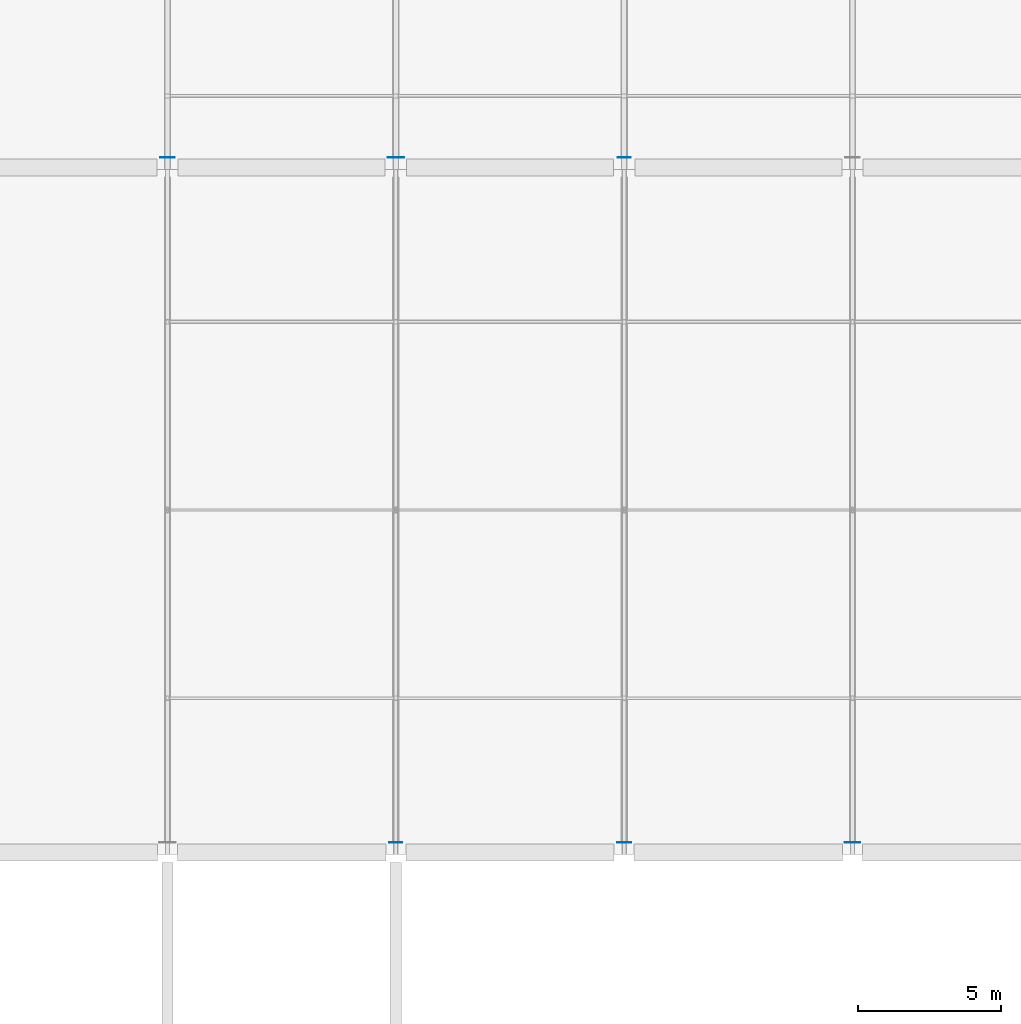
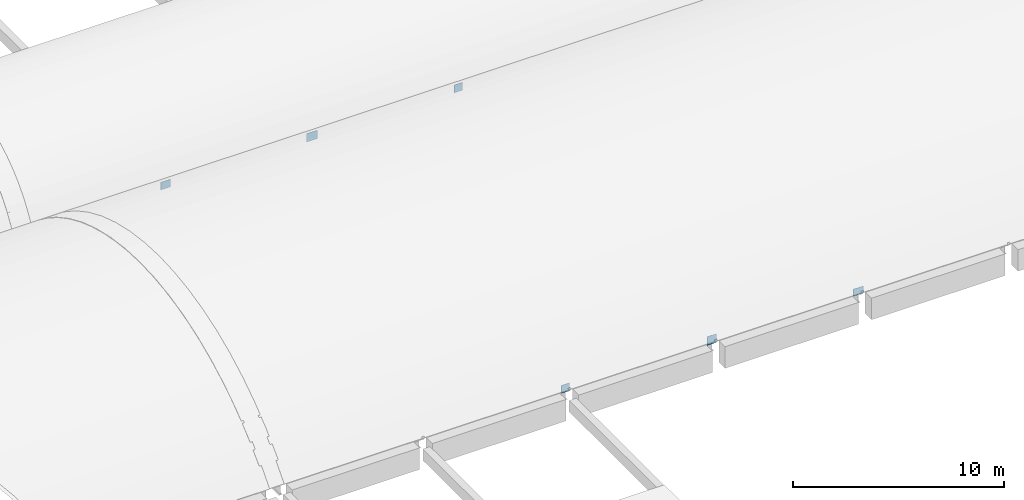
# One storey, part 48 of 57: 6 plates.
"""IFC4 building model written with IfcOpenShell, lengths in metres."""

from ifc_helpers import new_model, si_unit, direction, frame, origin, origin_2d, place, context, subcontext, project, spatial, rectangle, extrude, material, layer, layer_set, type_object, element, save


model = new_model("IFC4")

# Units and contexts
model_context = context("Model", 3, precision=1e-05, world=origin(), true_north=direction((0.0, 1.0)))
body_context = subcontext(model_context, "Body", "Model", "MODEL_VIEW")
ifc_project = project(units=[si_unit("LENGTHUNIT", "METRE"), si_unit("AREAUNIT", "SQUARE_METRE"), si_unit("VOLUMEUNIT", "CUBIC_METRE"), si_unit("PLANEANGLEUNIT", "RADIAN"), si_unit("MASSUNIT", "GRAM", prefix="KILO"), si_unit("THERMODYNAMICTEMPERATUREUNIT", "KELVIN"), si_unit("POWERUNIT", "WATT")], contexts=[model_context])

# Site, building, storey
site_placement = place(None, origin())
site = spatial("IfcSite", under=ifc_project, at=site_placement, CompositionType="ELEMENT")
building_placement = place(site_placement, origin())
building = spatial("IfcBuilding", under=site, at=building_placement, Name="Kronsvod Quay Wholesale Market", CompositionType="ELEMENT")
storey_placement = place(building_placement, frame((0.0, 0.0, 13.199951171875)))
storey = spatial("IfcBuildingStorey", under=building, at=storey_placement, Name="L03", CompositionType="ELEMENT", Elevation=13.199951171875)

# Plates
ifc_material_1 = material(Name="Steel S355", Category="steel")
ifc_layer_1 = layer(ifc_material_1, 0.02001953125)
ifc_layer_set_1 = layer_set([ifc_layer_1], Name="Steel S355")
plate_type_1 = type_object("IfcPlateType", Name="GussetPlate_GP01", PredefinedType="SHEET", material=ifc_layer_set_1)
for number, where, z_axis, x_axis, name in (
    (1, (144.0, 54.35009765625, -0.3046875), (0.0, 0.0, 1.0), (1.0, 0.0, 0.0), "GPL-0016"),
    (2, (152.0, 78.35009765625, -0.3046875), (0.0, 0.0, 1.0), (1.0, 0.0, 0.0), "GPL-0024"),
):
    element("IfcPlate", number, at=place(storey_placement, frame(where, z_axis=z_axis, x_axis=x_axis)), inside=storey, type_object=plate_type_1, Name=name, PredefinedType="SHEET", context=body_context, shape_type="SweptSolid", body=[
        extrude(rectangle(XDim=0.449951171875, YDim=0.02001953125, at=origin_2d()), origin(), (0.0, 0.0, 1.0), 0.449951171875),
    ])
ifc_material_2 = material(Name="Steel S355", Category="steel")
ifc_layer_2 = layer(ifc_material_2, 0.02197265625)
ifc_layer_set_2 = layer_set([ifc_layer_2], Name="Steel S355")
plate_type_2 = type_object("IfcPlateType", Name="GussetPlate_GP02", PredefinedType="SHEET", material=ifc_layer_set_2)
plate_1_placement = place(storey_placement, frame((152.0, 54.35009765625, -0.329833984375), z_axis=(0.0, 0.0, 1.0), x_axis=(1.0, 0.0, 0.0)))
element("IfcPlate", 3, at=plate_1_placement, inside=storey, type_object=plate_type_2, Name="GPL-0017", PredefinedType="SHEET", context=body_context, shape_type="SweptSolid", body=[
    extrude(rectangle(XDim=0.5, YDim=0.02197265625, at=origin_2d()), origin(), (0.0, 0.0, 1.0), 0.5),
])
ifc_material_3 = material(Name="Steel S355", Category="steel")
ifc_layer_3 = layer(ifc_material_3, 0.02392578125)
ifc_layer_set_3 = layer_set([ifc_layer_3], Name="Steel S355")
plate_type_3 = type_object("IfcPlateType", Name="GussetPlate_GP03", PredefinedType="SHEET", material=ifc_layer_set_3)
plate_2_placement = place(storey_placement, frame((160.0, 54.35009765625, -0.27978515625), z_axis=(0.0, 0.0, 1.0), x_axis=(1.0, 0.0, 0.0)))
element("IfcPlate", 4, at=plate_2_placement, inside=storey, type_object=plate_type_3, Name="GPL-0018", PredefinedType="SHEET", context=body_context, shape_type="SweptSolid", body=[
    extrude(rectangle(XDim=0.550048828125, YDim=0.02392578125, at=origin_2d()), origin(), (0.0, 0.0, 1.0), 0.39990234375),
])
ifc_material_4 = material(Name="Steel S355", Category="steel")
ifc_layer_4 = layer(ifc_material_4, 0.02197265625)
ifc_layer_set_4 = layer_set([ifc_layer_4], Name="Steel S355")
plate_type_4 = type_object("IfcPlateType", Name="GussetPlate_GP07", PredefinedType="SHEET", material=ifc_layer_set_4)
plate_3_placement = place(storey_placement, frame((136.0, 78.35009765625, -0.2998046875), z_axis=(0.0, 0.0, 1.0), x_axis=(1.0, 0.0, 0.0)))
element("IfcPlate", 5, at=plate_3_placement, inside=storey, type_object=plate_type_4, Name="GPL-0022", PredefinedType="SHEET", context=body_context, shape_type="SweptSolid", body=[
    extrude(rectangle(XDim=0.52001953125, YDim=0.02197265625, at=origin_2d()), origin(), (0.0, 0.0, 1.0), 0.43994140625),
])
ifc_material_5 = material(Name="Steel S355", Category="steel")
ifc_layer_5 = layer(ifc_material_5, 0.02587890625)
ifc_layer_set_5 = layer_set([ifc_layer_5], Name="Steel S355")
plate_type_5 = type_object("IfcPlateType", Name="GussetPlate_GP08", PredefinedType="SHEET", material=ifc_layer_set_5)
plate_4_placement = place(storey_placement, frame((144.0, 78.35009765625, -0.31982421875), z_axis=(0.0, 0.0, 1.0), x_axis=(1.0, 0.0, 0.0)))
element("IfcPlate", 6, at=plate_4_placement, inside=storey, type_object=plate_type_5, Name="GPL-0023", PredefinedType="SHEET", context=body_context, shape_type="SweptSolid", body=[
    extrude(rectangle(XDim=0.580078125, YDim=0.02587890625, at=origin_2d()), origin(), (0.0, 0.0, 1.0), 0.47998046875),
])

save(model, "model.ifc")
